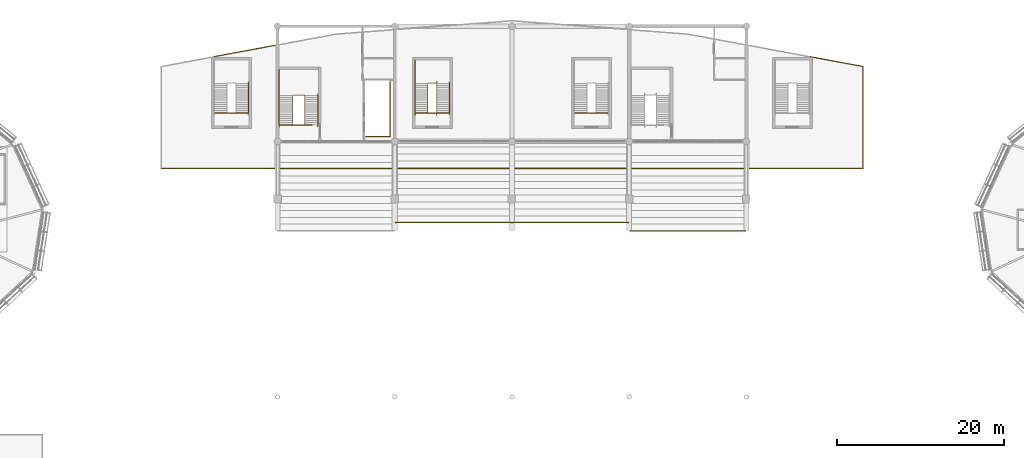
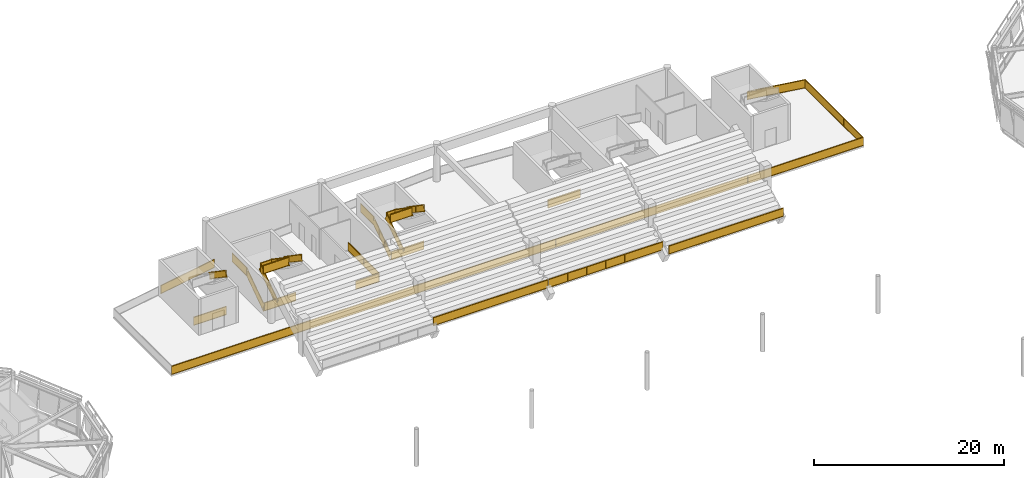
# One storey, part 91 of 94: 17 railings.
"""IFC4 building model written with IfcOpenShell, lengths in metres."""

from ifc_helpers import new_model, si_unit, direction, frame, origin, origin_2d, place, context, subcontext, project, spatial, rectangle, extrude, material, type_object, element, save


model = new_model("IFC4")

# Units and contexts
model_context = context("Model", 3, precision=1e-05, world=origin(), true_north=direction((0.0, 1.0)))
body_context = subcontext(model_context, "Body", "Model", "MODEL_VIEW")
ifc_project = project(units=[si_unit("LENGTHUNIT", "METRE"), si_unit("AREAUNIT", "SQUARE_METRE"), si_unit("VOLUMEUNIT", "CUBIC_METRE"), si_unit("PLANEANGLEUNIT", "RADIAN"), si_unit("MASSUNIT", "GRAM", prefix="KILO")], contexts=[model_context])

# Site, building, storey
site_placement = place(None, origin())
site = spatial("IfcSite", under=ifc_project, at=site_placement, CompositionType="ELEMENT")
building_placement = place(site_placement, origin())
building = spatial("IfcBuilding", under=site, at=building_placement, Name="Linyun Crest Stadium", CompositionType="ELEMENT")
storey_placement = place(building_placement, frame((0.0, 0.0, 16.199951171875)))
storey = spatial("IfcBuildingStorey", under=building, at=storey_placement, Name="L04", CompositionType="ELEMENT", Elevation=16.199951171875)

# Railings
ifc_material_1 = material(Name="Galvanized and powder-coated steel bowl safety barrier", Category="steel")
railing_type_1 = type_object("IfcRailingType", Name="GR02", PredefinedType="GUARDRAIL", material=ifc_material_1)
for number, where, name in (
    (1, (-13.919921875, 81.800048828125, 0.35009765625), "Bowl front safety guard GR02 66"),
    (2, (0.080078125, 81.800048828125, 0.35009765625), "Bowl front safety guard GR02 73"),
    (3, (14.080078125, 80.800048828125, 0.35009765625), "Bowl front safety guard GR02 80"),
):
    element("IfcRailing", number, at=place(storey_placement, frame(where)), inside=storey, type_object=railing_type_1, Name=name, PredefinedType="GUARDRAIL", context=body_context, shape_type="SweptSolid", body=[
        extrude(rectangle(XDim=0.06005859375, YDim=0.06005859375, at=origin_2d()), frame((0.0, 0.0, 1.090087890625), z_axis=(1.0, 0.0, 0.0), x_axis=(0.0, 1.0, 0.0)), (0.0, 0.0, 1.0), 13.83984375),
        extrude(rectangle(XDim=0.030029296875, YDim=1.0, at=origin_2d()), frame((0.0, 0.0, 0.56005859375), z_axis=(1.0, 0.0, 0.0), x_axis=(0.0, 1.0, 0.0)), (0.0, 0.0, 1.0), 13.83984375),
        extrude(rectangle(XDim=0.06005859375, YDim=0.06005859375, at=origin_2d()), frame((0.0, 0.0, 0.030029296875), z_axis=(1.0, 0.0, 0.0), x_axis=(0.0, 1.0, 0.0)), (0.0, 0.0, 1.0), 13.83984375),
        extrude(rectangle(XDim=0.050048828125, YDim=0.050048828125, at=origin_2d()), origin(), (0.0, 0.0, 1.0), 1.1201171875),
        extrude(rectangle(XDim=0.050048828125, YDim=0.050048828125, at=origin_2d()), frame((2.306640625, 0.0, 0.0)), (0.0, 0.0, 1.0), 1.1201171875),
        extrude(rectangle(XDim=0.050048828125, YDim=0.050048828125, at=origin_2d()), frame((4.61328125, 0.0, 0.0)), (0.0, 0.0, 1.0), 1.1201171875),
        extrude(rectangle(XDim=0.050048828125, YDim=0.050048828125, at=origin_2d()), frame((6.919921875, 0.0, 0.0)), (0.0, 0.0, 1.0), 1.1201171875),
        extrude(rectangle(XDim=0.050048828125, YDim=0.050048828125, at=origin_2d()), frame((9.2265625, 0.0, 0.0)), (0.0, 0.0, 1.0), 1.1201171875),
        extrude(rectangle(XDim=0.050048828125, YDim=0.050048828125, at=origin_2d()), frame((11.533203125, 0.0, 0.0)), (0.0, 0.0, 1.0), 1.1201171875),
        extrude(rectangle(XDim=0.050048828125, YDim=0.050048828125, at=origin_2d()), frame((13.83984375, 0.0, 0.0)), (0.0, 0.0, 1.0), 1.1201171875),
    ])
railing_1_placement = place(storey_placement, frame((-35.532958984375, 101.639892578125, 0.0)))
element("IfcRailing", 4, at=railing_1_placement, inside=storey, type_object=railing_type_1, Name="Slab edge balustrade GR02 214", PredefinedType="GUARDRAIL", context=body_context, shape_type="SweptSolid", body=[
    extrude(rectangle(XDim=0.06005859375, YDim=0.06005859375, at=origin_2d()), frame((0.0, 0.0, 1.090087890625), z_axis=(0.983198542698, 0.182539381054, 0.0), x_axis=(-0.182539381054, 0.983198542698, 0.0)), (0.0, 0.0, 1.0), 7.34130859375),
    extrude(rectangle(XDim=0.030029296875, YDim=1.0, at=origin_2d()), frame((0.0, 0.0, 0.56005859375), z_axis=(0.983198542698, 0.182539381054, 0.0), x_axis=(-0.182539381054, 0.983198542698, 0.0)), (0.0, 0.0, 1.0), 7.34130859375),
    extrude(rectangle(XDim=0.06005859375, YDim=0.06005859375, at=origin_2d()), frame((0.0, 0.0, 0.030029296875), z_axis=(0.983198542698, 0.182539381054, 0.0), x_axis=(-0.182539381054, 0.983198542698, 0.0)), (0.0, 0.0, 1.0), 7.34130859375),
    extrude(rectangle(XDim=0.050048828125, YDim=0.050048828125, at=origin_2d()), origin(), (0.0, 0.0, 1.0), 1.1201171875),
    extrude(rectangle(XDim=0.050048828125, YDim=0.050048828125, at=origin_2d()), frame((3.60888671875, 0.669921875, 0.0)), (0.0, 0.0, 1.0), 1.1201171875),
    extrude(rectangle(XDim=0.050048828125, YDim=0.050048828125, at=origin_2d()), frame((7.218017578125, 1.340087890625, 0.0)), (0.0, 0.0, 1.0), 1.1201171875),
])
railing_2_placement = place(storey_placement, frame((35.60009765625, 101.6279296875, 0.0)))
element("IfcRailing", 5, at=railing_2_placement, inside=storey, type_object=railing_type_1, Name="Slab edge balustrade GR02 221", PredefinedType="GUARDRAIL", context=body_context, shape_type="SweptSolid", body=[
    extrude(rectangle(XDim=0.06005859375, YDim=0.06005859375, at=origin_2d()), frame((0.0, 0.0, 1.090087890625), z_axis=(0.983172613902, -0.182678984214, 0.0), x_axis=(0.182678984214, 0.983172613902, 0.0)), (0.0, 0.0, 1.0), 6.4482421875),
    extrude(rectangle(XDim=0.030029296875, YDim=1.0, at=origin_2d()), frame((0.0, 0.0, 0.56005859375), z_axis=(0.983172613902, -0.182678984214, 0.0), x_axis=(0.182678984214, 0.983172613902, 0.0)), (0.0, 0.0, 1.0), 6.4482421875),
    extrude(rectangle(XDim=0.06005859375, YDim=0.06005859375, at=origin_2d()), frame((0.0, 0.0, 0.030029296875), z_axis=(0.983172613902, -0.182678984214, 0.0), x_axis=(0.182678984214, 0.983172613902, 0.0)), (0.0, 0.0, 1.0), 6.4482421875),
    extrude(rectangle(XDim=0.06005859375, YDim=0.06005859375, at=origin_2d()), frame((6.33984375, -1.177978515625, 1.090087890625), z_axis=(0.0, -1.0, 0.0), x_axis=(1.0, 0.0, 0.0)), (0.0, 0.0, 1.0), 12.18994140625),
    extrude(rectangle(XDim=0.030029296875, YDim=1.0, at=origin_2d()), frame((6.33984375, -1.177978515625, 0.56005859375), z_axis=(0.0, -1.0, 0.0), x_axis=(1.0, 0.0, 0.0)), (0.0, 0.0, 1.0), 12.18994140625),
    extrude(rectangle(XDim=0.06005859375, YDim=0.06005859375, at=origin_2d()), frame((6.33984375, -1.177978515625, 0.030029296875), z_axis=(0.0, -1.0, 0.0), x_axis=(1.0, 0.0, 0.0)), (0.0, 0.0, 1.0), 12.18994140625),
    extrude(rectangle(XDim=0.06005859375, YDim=0.06005859375, at=origin_2d()), frame((6.33984375, -13.367919921875, 1.090087890625), z_axis=(-1.0, 0.0, 0.0), x_axis=(0.0, -1.0, 0.0)), (0.0, 0.0, 1.0), 83.8798828125),
    extrude(rectangle(XDim=0.030029296875, YDim=1.0, at=origin_2d()), frame((6.33984375, -13.367919921875, 0.56005859375), z_axis=(-1.0, 0.0, 0.0), x_axis=(0.0, -1.0, 0.0)), (0.0, 0.0, 1.0), 83.8798828125),
    extrude(rectangle(XDim=0.06005859375, YDim=0.06005859375, at=origin_2d()), frame((6.33984375, -13.367919921875, 0.030029296875), z_axis=(-1.0, 0.0, 0.0), x_axis=(0.0, -1.0, 0.0)), (0.0, 0.0, 1.0), 83.8798828125),
    extrude(rectangle(XDim=0.050048828125, YDim=0.050048828125, at=origin_2d()), origin(), (0.0, 0.0, 1.0), 1.1201171875),
    extrude(rectangle(XDim=0.050048828125, YDim=0.050048828125, at=origin_2d()), frame((3.169921875, -0.5888671875, 0.0)), (0.0, 0.0, 1.0), 1.1201171875),
    extrude(rectangle(XDim=0.050048828125, YDim=0.050048828125, at=origin_2d()), frame((6.33984375, -1.177978515625, 0.0)), (0.0, 0.0, 1.0), 1.1201171875),
    extrude(rectangle(XDim=0.050048828125, YDim=0.050048828125, at=origin_2d()), frame((6.33984375, -5.2412109375, 0.0)), (0.0, 0.0, 1.0), 1.1201171875),
    extrude(rectangle(XDim=0.050048828125, YDim=0.050048828125, at=origin_2d()), frame((6.33984375, -9.3046875, 0.0)), (0.0, 0.0, 1.0), 1.1201171875),
    extrude(rectangle(XDim=0.050048828125, YDim=0.050048828125, at=origin_2d()), frame((6.33984375, -13.367919921875, 0.0)), (0.0, 0.0, 1.0), 1.1201171875),
    extrude(rectangle(XDim=0.050048828125, YDim=0.050048828125, at=origin_2d()), frame((1.679931640625, -13.367919921875, 0.0)), (0.0, 0.0, 1.0), 1.1201171875),
    extrude(rectangle(XDim=0.050048828125, YDim=0.050048828125, at=origin_2d()), frame((-2.980224609375, -13.367919921875, 0.0)), (0.0, 0.0, 1.0), 1.1201171875),
    extrude(rectangle(XDim=0.050048828125, YDim=0.050048828125, at=origin_2d()), frame((-7.64013671875, -13.367919921875, 0.0)), (0.0, 0.0, 1.0), 1.1201171875),
    extrude(rectangle(XDim=0.050048828125, YDim=0.050048828125, at=origin_2d()), frame((-12.300048828125, -13.367919921875, 0.0)), (0.0, 0.0, 1.0), 1.1201171875),
    extrude(rectangle(XDim=0.050048828125, YDim=0.050048828125, at=origin_2d()), frame((-16.960205078125, -13.367919921875, 0.0)), (0.0, 0.0, 1.0), 1.1201171875),
    extrude(rectangle(XDim=0.050048828125, YDim=0.050048828125, at=origin_2d()), frame((-21.6201171875, -13.367919921875, 0.0)), (0.0, 0.0, 1.0), 1.1201171875),
    extrude(rectangle(XDim=0.050048828125, YDim=0.050048828125, at=origin_2d()), frame((-26.280029296875, -13.367919921875, 0.0)), (0.0, 0.0, 1.0), 1.1201171875),
    extrude(rectangle(XDim=0.050048828125, YDim=0.050048828125, at=origin_2d()), frame((-30.940185546875, -13.367919921875, 0.0)), (0.0, 0.0, 1.0), 1.1201171875),
    extrude(rectangle(XDim=0.050048828125, YDim=0.050048828125, at=origin_2d()), frame((-35.60009765625, -13.367919921875, 0.0)), (0.0, 0.0, 1.0), 1.1201171875),
    extrude(rectangle(XDim=0.050048828125, YDim=0.050048828125, at=origin_2d()), frame((-40.260009765625, -13.367919921875, 0.0)), (0.0, 0.0, 1.0), 1.1201171875),
    extrude(rectangle(XDim=0.050048828125, YDim=0.050048828125, at=origin_2d()), frame((-44.920166015625, -13.367919921875, 0.0)), (0.0, 0.0, 1.0), 1.1201171875),
    extrude(rectangle(XDim=0.050048828125, YDim=0.050048828125, at=origin_2d()), frame((-49.580078125, -13.367919921875, 0.0)), (0.0, 0.0, 1.0), 1.1201171875),
    extrude(rectangle(XDim=0.050048828125, YDim=0.050048828125, at=origin_2d()), frame((-54.239990234375, -13.367919921875, 0.0)), (0.0, 0.0, 1.0), 1.1201171875),
    extrude(rectangle(XDim=0.050048828125, YDim=0.050048828125, at=origin_2d()), frame((-58.900146484375, -13.367919921875, 0.0)), (0.0, 0.0, 1.0), 1.1201171875),
    extrude(rectangle(XDim=0.050048828125, YDim=0.050048828125, at=origin_2d()), frame((-63.56005859375, -13.367919921875, 0.0)), (0.0, 0.0, 1.0), 1.1201171875),
    extrude(rectangle(XDim=0.050048828125, YDim=0.050048828125, at=origin_2d()), frame((-68.219970703125, -13.367919921875, 0.0)), (0.0, 0.0, 1.0), 1.1201171875),
    extrude(rectangle(XDim=0.050048828125, YDim=0.050048828125, at=origin_2d()), frame((-72.880126953125, -13.367919921875, 0.0)), (0.0, 0.0, 1.0), 1.1201171875),
    extrude(rectangle(XDim=0.050048828125, YDim=0.050048828125, at=origin_2d()), frame((-77.5400390625, -13.367919921875, 0.0)), (0.0, 0.0, 1.0), 1.1201171875),
])
for number, where, name in (
    (6, (7.5400390625, 94.889892578125, 0.0), "Slab edge balustrade GR02 224"),
    (7, (-11.4599609375, 94.889892578125, 0.0), "Slab edge balustrade GR02 225"),
):
    element("IfcRailing", number, at=place(storey_placement, frame(where)), inside=storey, type_object=railing_type_1, Name=name, PredefinedType="GUARDRAIL", context=body_context, shape_type="SweptSolid", body=[
        extrude(rectangle(XDim=0.06005859375, YDim=0.06005859375, at=origin_2d()), frame((0.0, 0.0, 1.090087890625), z_axis=(1.0, 0.0, 0.0), x_axis=(0.0, 1.0, 0.0)), (0.0, 0.0, 1.0), 3.919921875),
        extrude(rectangle(XDim=0.030029296875, YDim=1.0, at=origin_2d()), frame((0.0, 0.0, 0.56005859375), z_axis=(1.0, 0.0, 0.0), x_axis=(0.0, 1.0, 0.0)), (0.0, 0.0, 1.0), 3.919921875),
        extrude(rectangle(XDim=0.06005859375, YDim=0.06005859375, at=origin_2d()), frame((0.0, 0.0, 0.030029296875), z_axis=(1.0, 0.0, 0.0), x_axis=(0.0, 1.0, 0.0)), (0.0, 0.0, 1.0), 3.919921875),
        extrude(rectangle(XDim=0.050048828125, YDim=0.050048828125, at=origin_2d()), origin(), (0.0, 0.0, 1.0), 1.1201171875),
        extrude(rectangle(XDim=0.050048828125, YDim=0.050048828125, at=origin_2d()), frame((3.919921875, 0.0, 0.0)), (0.0, 0.0, 1.0), 1.1201171875),
    ])
railing_3_placement = place(storey_placement, frame((-17.419921875, 92.090087890625, 0.0)))
element("IfcRailing", 8, at=railing_3_placement, inside=storey, type_object=railing_type_1, Name="Slab edge balustrade GR02 226", PredefinedType="GUARDRAIL", context=body_context, shape_type="SweptSolid", body=[
    extrude(rectangle(XDim=0.06005859375, YDim=0.06005859375, at=origin_2d()), frame((0.0, 0.0, 1.090087890625), z_axis=(1.0, 0.0, 0.0), x_axis=(0.0, 1.0, 0.0)), (0.0, 0.0, 1.0), 2.8798828125),
    extrude(rectangle(XDim=0.030029296875, YDim=1.0, at=origin_2d()), frame((0.0, 0.0, 0.56005859375), z_axis=(1.0, 0.0, 0.0), x_axis=(0.0, 1.0, 0.0)), (0.0, 0.0, 1.0), 2.8798828125),
    extrude(rectangle(XDim=0.06005859375, YDim=0.06005859375, at=origin_2d()), frame((0.0, 0.0, 0.030029296875), z_axis=(1.0, 0.0, 0.0), x_axis=(0.0, 1.0, 0.0)), (0.0, 0.0, 1.0), 2.8798828125),
    extrude(rectangle(XDim=0.06005859375, YDim=0.06005859375, at=origin_2d()), frame((2.8798828125, 0.0, 1.090087890625), z_axis=(0.0, 1.0, 0.0), x_axis=(-1.0, 0.0, 0.0)), (0.0, 0.0, 1.0), 6.5498046875),
    extrude(rectangle(XDim=0.030029296875, YDim=1.0, at=origin_2d()), frame((2.8798828125, 0.0, 0.56005859375), z_axis=(0.0, 1.0, 0.0), x_axis=(-1.0, 0.0, 0.0)), (0.0, 0.0, 1.0), 6.5498046875),
    extrude(rectangle(XDim=0.06005859375, YDim=0.06005859375, at=origin_2d()), frame((2.8798828125, 0.0, 0.030029296875), z_axis=(0.0, 1.0, 0.0), x_axis=(-1.0, 0.0, 0.0)), (0.0, 0.0, 1.0), 6.5498046875),
    extrude(rectangle(XDim=0.050048828125, YDim=0.050048828125, at=origin_2d()), origin(), (0.0, 0.0, 1.0), 1.1201171875),
    extrude(rectangle(XDim=0.050048828125, YDim=0.050048828125, at=origin_2d()), frame((2.8798828125, 0.0, 0.0)), (0.0, 0.0, 1.0), 1.1201171875),
    extrude(rectangle(XDim=0.050048828125, YDim=0.050048828125, at=origin_2d()), frame((2.8798828125, 3.27490234375, 0.0)), (0.0, 0.0, 1.0), 1.1201171875),
    extrude(rectangle(XDim=0.050048828125, YDim=0.050048828125, at=origin_2d()), frame((2.8798828125, 6.5498046875, 0.0)), (0.0, 0.0, 1.0), 1.1201171875),
])
railing_4_placement = place(storey_placement, frame((-27.68505859375, 93.4599609375, 0.0)))
element("IfcRailing", 9, at=railing_4_placement, inside=storey, type_object=railing_type_1, Name="Slab edge balustrade GR02 227", PredefinedType="GUARDRAIL", context=body_context, shape_type="SweptSolid", body=[
    extrude(rectangle(XDim=0.06005859375, YDim=0.06005859375, at=origin_2d()), frame((0.0, 0.0, 1.090087890625), z_axis=(1.0, 0.0, 0.0), x_axis=(0.0, 1.0, 0.0)), (0.0, 0.0, 1.0), 3.78515625),
    extrude(rectangle(XDim=0.030029296875, YDim=1.0, at=origin_2d()), frame((0.0, 0.0, 0.56005859375), z_axis=(1.0, 0.0, 0.0), x_axis=(0.0, 1.0, 0.0)), (0.0, 0.0, 1.0), 3.78515625),
    extrude(rectangle(XDim=0.06005859375, YDim=0.06005859375, at=origin_2d()), frame((0.0, 0.0, 0.030029296875), z_axis=(1.0, 0.0, 0.0), x_axis=(0.0, 1.0, 0.0)), (0.0, 0.0, 1.0), 3.78515625),
    extrude(rectangle(XDim=0.050048828125, YDim=0.050048828125, at=origin_2d()), origin(), (0.0, 0.0, 1.0), 1.1201171875),
    extrude(rectangle(XDim=0.050048828125, YDim=0.050048828125, at=origin_2d()), frame((3.78515625, 0.0, 0.0)), (0.0, 0.0, 1.0), 1.1201171875),
])
railing_5_placement = place(storey_placement, frame((-35.4599609375, 94.889892578125, 0.0)))
element("IfcRailing", 10, at=railing_5_placement, inside=storey, type_object=railing_type_1, Name="Slab edge balustrade GR02 228", PredefinedType="GUARDRAIL", context=body_context, shape_type="SweptSolid", body=[
    extrude(rectangle(XDim=0.06005859375, YDim=0.06005859375, at=origin_2d()), frame((0.0, 0.0, 1.090087890625), z_axis=(1.0, 0.0, 0.0), x_axis=(0.0, 1.0, 0.0)), (0.0, 0.0, 1.0), 3.919921875),
    extrude(rectangle(XDim=0.030029296875, YDim=1.0, at=origin_2d()), frame((0.0, 0.0, 0.56005859375), z_axis=(1.0, 0.0, 0.0), x_axis=(0.0, 1.0, 0.0)), (0.0, 0.0, 1.0), 3.919921875),
    extrude(rectangle(XDim=0.06005859375, YDim=0.06005859375, at=origin_2d()), frame((0.0, 0.0, 0.030029296875), z_axis=(1.0, 0.0, 0.0), x_axis=(0.0, 1.0, 0.0)), (0.0, 0.0, 1.0), 3.919921875),
    extrude(rectangle(XDim=0.050048828125, YDim=0.050048828125, at=origin_2d()), origin(), (0.0, 0.0, 1.0), 1.1201171875),
    extrude(rectangle(XDim=0.050048828125, YDim=0.050048828125, at=origin_2d()), frame((3.919921875, 0.0, 0.0)), (0.0, 0.0, 1.0), 1.1201171875),
])
ifc_material_2 = material(Name="Painted steel stairwell safety guard", Category="steel")
railing_type_2 = type_object("IfcRailingType", Name="GR03", PredefinedType="GUARDRAIL", material=ifc_material_2)
railing_6_placement = place(storey_placement, frame((-27.794921875, 93.489990234375, 0.0)))
element("IfcRailing", 11, at=railing_6_placement, inside=storey, type_object=railing_type_2, Name="STR-07-L04 outer guard", PredefinedType="GUARDRAIL", context=body_context, shape_type="SweptSolid", body=[
    extrude(rectangle(XDim=0.06005859375, YDim=0.06005859375, at=origin_2d()), frame((0.0, 0.0, 1.090087890625), z_axis=(0.0, 0.824712752785, 0.565551832633), x_axis=(-1.0, 0.0, 0.0)), (0.0, 0.0, 1.0), 4.243896484375),
    extrude(rectangle(XDim=0.030029296875, YDim=1.0, at=origin_2d()), frame((0.0, 0.0, 0.56005859375), z_axis=(0.0, 0.824712752785, 0.565551832633), x_axis=(-1.0, 0.0, 0.0)), (0.0, 0.0, 1.0), 4.243896484375),
    extrude(rectangle(XDim=0.06005859375, YDim=0.06005859375, at=origin_2d()), frame((0.0, 0.0, 0.030029296875), z_axis=(0.0, 0.824712752785, 0.565551832633), x_axis=(-1.0, 0.0, 0.0)), (0.0, 0.0, 1.0), 4.243896484375),
    extrude(rectangle(XDim=0.06005859375, YDim=0.06005859375, at=origin_2d()), frame((0.0, 3.5, 3.490234375), z_axis=(0.0, 1.0, 0.0), x_axis=(-1.0, 0.0, 0.0)), (0.0, 0.0, 1.0), 3.080078125),
    extrude(rectangle(XDim=0.030029296875, YDim=1.0, at=origin_2d()), frame((0.0, 3.5, 2.960205078125), z_axis=(0.0, 1.0, 0.0), x_axis=(-1.0, 0.0, 0.0)), (0.0, 0.0, 1.0), 3.080078125),
    extrude(rectangle(XDim=0.06005859375, YDim=0.06005859375, at=origin_2d()), frame((0.0, 3.5, 2.43017578125), z_axis=(0.0, 1.0, 0.0), x_axis=(-1.0, 0.0, 0.0)), (0.0, 0.0, 1.0), 3.080078125),
    extrude(rectangle(XDim=0.050048828125, YDim=0.050048828125, at=origin_2d()), origin(), (0.0, 0.0, 1.0), 1.1201171875),
    extrude(rectangle(XDim=0.050048828125, YDim=0.050048828125, at=origin_2d()), frame((0.0, 1.166748046875, 0.800048828125)), (0.0, 0.0, 1.0), 1.1201171875),
    extrude(rectangle(XDim=0.050048828125, YDim=0.050048828125, at=origin_2d()), frame((0.0, 2.333251953125, 1.60009765625)), (0.0, 0.0, 1.0), 1.1201171875),
    extrude(rectangle(XDim=0.050048828125, YDim=0.050048828125, at=origin_2d()), frame((0.0, 3.5, 2.400146484375)), (0.0, 0.0, 1.0), 1.1201171875),
    extrude(rectangle(XDim=0.050048828125, YDim=0.050048828125, at=origin_2d()), frame((0.0, 5.0400390625, 2.400146484375)), (0.0, 0.0, 1.0), 1.1201171875),
    extrude(rectangle(XDim=0.050048828125, YDim=0.050048828125, at=origin_2d()), frame((0.0, 6.580078125, 2.400146484375)), (0.0, 0.0, 1.0), 1.1201171875),
])
railing_7_placement = place(storey_placement, frame((-26.155029296875, 93.469970703125, 0.0)))
element("IfcRailing", 12, at=railing_7_placement, inside=storey, type_object=railing_type_2, Name="STR-07-L04 inner well guard", PredefinedType="GUARDRAIL", context=body_context, shape_type="SweptSolid", body=[
    extrude(rectangle(XDim=0.06005859375, YDim=0.06005859375, at=origin_2d()), frame((0.0, 0.0, 1.090087890625), z_axis=(0.0, 0.826212794201, 0.563358162005), x_axis=(-1.0, 0.0, 0.0)), (0.0, 0.0, 1.0), 4.260498046875),
    extrude(rectangle(XDim=0.030029296875, YDim=1.0, at=origin_2d()), frame((0.0, 0.0, 0.56005859375), z_axis=(0.0, 0.826212794201, 0.563358162005), x_axis=(-1.0, 0.0, 0.0)), (0.0, 0.0, 1.0), 4.260498046875),
    extrude(rectangle(XDim=0.06005859375, YDim=0.06005859375, at=origin_2d()), frame((0.0, 0.0, 0.030029296875), z_axis=(0.0, 0.826212794201, 0.563358162005), x_axis=(-1.0, 0.0, 0.0)), (0.0, 0.0, 1.0), 4.260498046875),
    extrude(rectangle(XDim=0.06005859375, YDim=0.06005859375, at=origin_2d()), frame((0.0, 3.52001953125, 3.490234375), z_axis=(1.0, 0.0, 0.0), x_axis=(0.0, 1.0, 0.0)), (0.0, 0.0, 1.0), 1.385009765625),
    extrude(rectangle(XDim=0.030029296875, YDim=1.0, at=origin_2d()), frame((0.0, 3.52001953125, 2.960205078125), z_axis=(1.0, 0.0, 0.0), x_axis=(0.0, 1.0, 0.0)), (0.0, 0.0, 1.0), 1.385009765625),
    extrude(rectangle(XDim=0.06005859375, YDim=0.06005859375, at=origin_2d()), frame((0.0, 3.52001953125, 2.43017578125), z_axis=(1.0, 0.0, 0.0), x_axis=(0.0, 1.0, 0.0)), (0.0, 0.0, 1.0), 1.385009765625),
    extrude(rectangle(XDim=0.06005859375, YDim=0.06005859375, at=origin_2d()), frame((1.385009765625, 3.52001953125, 3.490234375), z_axis=(0.0, -0.826239466617, 0.563319042644), x_axis=(1.0, 0.0, 0.0)), (0.0, 0.0, 1.0), 4.26025390625),
    extrude(rectangle(XDim=0.030029296875, YDim=1.0, at=origin_2d()), frame((1.385009765625, 3.52001953125, 2.960205078125), z_axis=(0.0, -0.826239466617, 0.563319042644), x_axis=(1.0, 0.0, 0.0)), (0.0, 0.0, 1.0), 4.26025390625),
    extrude(rectangle(XDim=0.06005859375, YDim=0.06005859375, at=origin_2d()), frame((1.385009765625, 3.52001953125, 2.43017578125), z_axis=(0.0, -0.826239466617, 0.563319042644), x_axis=(1.0, 0.0, 0.0)), (0.0, 0.0, 1.0), 4.26025390625),
    extrude(rectangle(XDim=0.06005859375, YDim=0.06005859375, at=origin_2d()), frame((1.385009765625, 0.0, 5.89013671875), z_axis=(-1.0, 0.0, 0.0), x_axis=(0.0, -1.0, 0.0)), (0.0, 0.0, 1.0), 3.034912109375),
    extrude(rectangle(XDim=0.030029296875, YDim=1.0, at=origin_2d()), frame((1.385009765625, 0.0, 5.360107421875), z_axis=(-1.0, 0.0, 0.0), x_axis=(0.0, -1.0, 0.0)), (0.0, 0.0, 1.0), 3.034912109375),
    extrude(rectangle(XDim=0.06005859375, YDim=0.06005859375, at=origin_2d()), frame((1.385009765625, 0.0, 4.830078125), z_axis=(-1.0, 0.0, 0.0), x_axis=(0.0, -1.0, 0.0)), (0.0, 0.0, 1.0), 3.034912109375),
    extrude(rectangle(XDim=0.050048828125, YDim=0.050048828125, at=origin_2d()), origin(), (0.0, 0.0, 1.0), 1.1201171875),
    extrude(rectangle(XDim=0.050048828125, YDim=0.050048828125, at=origin_2d()), frame((0.0, 1.17333984375, 0.800048828125)), (0.0, 0.0, 1.0), 1.1201171875),
    extrude(rectangle(XDim=0.050048828125, YDim=0.050048828125, at=origin_2d()), frame((0.0, 2.3466796875, 1.60009765625)), (0.0, 0.0, 1.0), 1.1201171875),
    extrude(rectangle(XDim=0.050048828125, YDim=0.050048828125, at=origin_2d()), frame((0.0, 3.52001953125, 2.400146484375)), (0.0, 0.0, 1.0), 1.1201171875),
    extrude(rectangle(XDim=0.050048828125, YDim=0.050048828125, at=origin_2d()), frame((1.385009765625, 3.52001953125, 2.400146484375)), (0.0, 0.0, 1.0), 1.1201171875),
    extrude(rectangle(XDim=0.050048828125, YDim=0.050048828125, at=origin_2d()), frame((1.385009765625, 2.3466796875, 3.2001953125)), (0.0, 0.0, 1.0), 1.1201171875),
    extrude(rectangle(XDim=0.050048828125, YDim=0.050048828125, at=origin_2d()), frame((1.385009765625, 1.17333984375, 4.0)), (0.0, 0.0, 1.0), 1.1201171875),
    extrude(rectangle(XDim=0.050048828125, YDim=0.050048828125, at=origin_2d()), frame((1.385009765625, 0.0, 4.800048828125)), (0.0, 0.0, 1.0), 1.1201171875),
    extrude(rectangle(XDim=0.050048828125, YDim=0.050048828125, at=origin_2d()), frame((-0.13232421875, 0.0, 4.800048828125)), (0.0, 0.0, 1.0), 1.1201171875),
    extrude(rectangle(XDim=0.050048828125, YDim=0.050048828125, at=origin_2d()), frame((-1.64990234375, 0.0, 4.800048828125)), (0.0, 0.0, 1.0), 1.1201171875),
])
railing_8_placement = place(storey_placement, frame((-11.570068359375, 94.919921875, 0.0)))
element("IfcRailing", 13, at=railing_8_placement, inside=storey, type_object=railing_type_2, Name="STR-24-L04 outer guard", PredefinedType="GUARDRAIL", context=body_context, shape_type="SweptSolid", body=[
    extrude(rectangle(XDim=0.06005859375, YDim=0.06005859375, at=origin_2d()), frame((0.0, 0.0, 1.090087890625), z_axis=(0.0, 0.824712752785, 0.565551832633), x_axis=(-1.0, 0.0, 0.0)), (0.0, 0.0, 1.0), 4.243896484375),
    extrude(rectangle(XDim=0.030029296875, YDim=1.0, at=origin_2d()), frame((0.0, 0.0, 0.56005859375), z_axis=(0.0, 0.824712752785, 0.565551832633), x_axis=(-1.0, 0.0, 0.0)), (0.0, 0.0, 1.0), 4.243896484375),
    extrude(rectangle(XDim=0.06005859375, YDim=0.06005859375, at=origin_2d()), frame((0.0, 0.0, 0.030029296875), z_axis=(0.0, 0.824712752785, 0.565551832633), x_axis=(-1.0, 0.0, 0.0)), (0.0, 0.0, 1.0), 4.243896484375),
    extrude(rectangle(XDim=0.06005859375, YDim=0.06005859375, at=origin_2d()), frame((0.0, 3.5, 3.490234375), z_axis=(0.0, 1.0, 0.0), x_axis=(-1.0, 0.0, 0.0)), (0.0, 0.0, 1.0), 2.75),
    extrude(rectangle(XDim=0.030029296875, YDim=1.0, at=origin_2d()), frame((0.0, 3.5, 2.960205078125), z_axis=(0.0, 1.0, 0.0), x_axis=(-1.0, 0.0, 0.0)), (0.0, 0.0, 1.0), 2.75),
    extrude(rectangle(XDim=0.06005859375, YDim=0.06005859375, at=origin_2d()), frame((0.0, 3.5, 2.43017578125), z_axis=(0.0, 1.0, 0.0), x_axis=(-1.0, 0.0, 0.0)), (0.0, 0.0, 1.0), 2.75),
    extrude(rectangle(XDim=0.050048828125, YDim=0.050048828125, at=origin_2d()), origin(), (0.0, 0.0, 1.0), 1.1201171875),
    extrude(rectangle(XDim=0.050048828125, YDim=0.050048828125, at=origin_2d()), frame((0.0, 1.166748046875, 0.800048828125)), (0.0, 0.0, 1.0), 1.1201171875),
    extrude(rectangle(XDim=0.050048828125, YDim=0.050048828125, at=origin_2d()), frame((0.0, 2.333251953125, 1.60009765625)), (0.0, 0.0, 1.0), 1.1201171875),
    extrude(rectangle(XDim=0.050048828125, YDim=0.050048828125, at=origin_2d()), frame((0.0, 3.5, 2.400146484375)), (0.0, 0.0, 1.0), 1.1201171875),
    extrude(rectangle(XDim=0.050048828125, YDim=0.050048828125, at=origin_2d()), frame((0.0, 4.875, 2.400146484375)), (0.0, 0.0, 1.0), 1.1201171875),
    extrude(rectangle(XDim=0.050048828125, YDim=0.050048828125, at=origin_2d()), frame((0.0, 6.25, 2.400146484375)), (0.0, 0.0, 1.0), 1.1201171875),
])
railing_9_placement = place(storey_placement, frame((-10.030029296875, 94.89990234375, 0.0)))
element("IfcRailing", 14, at=railing_9_placement, inside=storey, type_object=railing_type_2, Name="STR-24-L04 inner well guard", PredefinedType="GUARDRAIL", context=body_context, shape_type="SweptSolid", body=[
    extrude(rectangle(XDim=0.06005859375, YDim=0.06005859375, at=origin_2d()), frame((0.0, 0.0, 1.090087890625), z_axis=(0.0, 0.826212794201, 0.563358162005), x_axis=(-1.0, 0.0, 0.0)), (0.0, 0.0, 1.0), 4.260498046875),
    extrude(rectangle(XDim=0.030029296875, YDim=1.0, at=origin_2d()), frame((0.0, 0.0, 0.56005859375), z_axis=(0.0, 0.826212794201, 0.563358162005), x_axis=(-1.0, 0.0, 0.0)), (0.0, 0.0, 1.0), 4.260498046875),
    extrude(rectangle(XDim=0.06005859375, YDim=0.06005859375, at=origin_2d()), frame((0.0, 0.0, 0.030029296875), z_axis=(0.0, 0.826212794201, 0.563358162005), x_axis=(-1.0, 0.0, 0.0)), (0.0, 0.0, 1.0), 4.260498046875),
    extrude(rectangle(XDim=0.06005859375, YDim=0.06005859375, at=origin_2d()), frame((0.0, 3.52001953125, 3.490234375), z_axis=(1.0, 0.0, 0.0), x_axis=(0.0, 1.0, 0.0)), (0.0, 0.0, 1.0), 1.06005859375),
    extrude(rectangle(XDim=0.030029296875, YDim=1.0, at=origin_2d()), frame((0.0, 3.52001953125, 2.960205078125), z_axis=(1.0, 0.0, 0.0), x_axis=(0.0, 1.0, 0.0)), (0.0, 0.0, 1.0), 1.06005859375),
    extrude(rectangle(XDim=0.06005859375, YDim=0.06005859375, at=origin_2d()), frame((0.0, 3.52001953125, 2.43017578125), z_axis=(1.0, 0.0, 0.0), x_axis=(0.0, 1.0, 0.0)), (0.0, 0.0, 1.0), 1.06005859375),
    extrude(rectangle(XDim=0.06005859375, YDim=0.06005859375, at=origin_2d()), frame((1.06005859375, 3.52001953125, 3.490234375), z_axis=(0.0, -0.826239466617, 0.563319042644), x_axis=(1.0, 0.0, 0.0)), (0.0, 0.0, 1.0), 4.26025390625),
    extrude(rectangle(XDim=0.030029296875, YDim=1.0, at=origin_2d()), frame((1.06005859375, 3.52001953125, 2.960205078125), z_axis=(0.0, -0.826239466617, 0.563319042644), x_axis=(1.0, 0.0, 0.0)), (0.0, 0.0, 1.0), 4.26025390625),
    extrude(rectangle(XDim=0.06005859375, YDim=0.06005859375, at=origin_2d()), frame((1.06005859375, 3.52001953125, 2.43017578125), z_axis=(0.0, -0.826239466617, 0.563319042644), x_axis=(1.0, 0.0, 0.0)), (0.0, 0.0, 1.0), 4.26025390625),
    extrude(rectangle(XDim=0.06005859375, YDim=0.06005859375, at=origin_2d()), frame((1.06005859375, 0.0, 5.89013671875), z_axis=(-1.0, 0.0, 0.0), x_axis=(0.0, -1.0, 0.0)), (0.0, 0.0, 1.0), 2.610107421875),
    extrude(rectangle(XDim=0.030029296875, YDim=1.0, at=origin_2d()), frame((1.06005859375, 0.0, 5.360107421875), z_axis=(-1.0, 0.0, 0.0), x_axis=(0.0, -1.0, 0.0)), (0.0, 0.0, 1.0), 2.610107421875),
    extrude(rectangle(XDim=0.06005859375, YDim=0.06005859375, at=origin_2d()), frame((1.06005859375, 0.0, 4.830078125), z_axis=(-1.0, 0.0, 0.0), x_axis=(0.0, -1.0, 0.0)), (0.0, 0.0, 1.0), 2.610107421875),
    extrude(rectangle(XDim=0.050048828125, YDim=0.050048828125, at=origin_2d()), origin(), (0.0, 0.0, 1.0), 1.1201171875),
    extrude(rectangle(XDim=0.050048828125, YDim=0.050048828125, at=origin_2d()), frame((0.0, 1.17333984375, 0.800048828125)), (0.0, 0.0, 1.0), 1.1201171875),
    extrude(rectangle(XDim=0.050048828125, YDim=0.050048828125, at=origin_2d()), frame((0.0, 2.3466796875, 1.60009765625)), (0.0, 0.0, 1.0), 1.1201171875),
    extrude(rectangle(XDim=0.050048828125, YDim=0.050048828125, at=origin_2d()), frame((0.0, 3.52001953125, 2.400146484375)), (0.0, 0.0, 1.0), 1.1201171875),
    extrude(rectangle(XDim=0.050048828125, YDim=0.050048828125, at=origin_2d()), frame((1.06005859375, 3.52001953125, 2.400146484375)), (0.0, 0.0, 1.0), 1.1201171875),
    extrude(rectangle(XDim=0.050048828125, YDim=0.050048828125, at=origin_2d()), frame((1.06005859375, 2.3466796875, 3.2001953125)), (0.0, 0.0, 1.0), 1.1201171875),
    extrude(rectangle(XDim=0.050048828125, YDim=0.050048828125, at=origin_2d()), frame((1.06005859375, 1.17333984375, 4.0)), (0.0, 0.0, 1.0), 1.1201171875),
    extrude(rectangle(XDim=0.050048828125, YDim=0.050048828125, at=origin_2d()), frame((1.06005859375, 0.0, 4.800048828125)), (0.0, 0.0, 1.0), 1.1201171875),
    extrude(rectangle(XDim=0.050048828125, YDim=0.050048828125, at=origin_2d()), frame((-0.2451171875, 0.0, 4.800048828125)), (0.0, 0.0, 1.0), 1.1201171875),
    extrude(rectangle(XDim=0.050048828125, YDim=0.050048828125, at=origin_2d()), frame((-1.550048828125, 0.0, 4.800048828125)), (0.0, 0.0, 1.0), 1.1201171875),
])
ifc_material_3 = material(Name="Brushed stainless steel tubular handrail", Category="steel")
railing_type_3 = type_object("IfcRailingType", Name="HR01", PredefinedType="HANDRAIL", material=ifc_material_3)
for number, where, name in (
    (15, (-23.179931640625, 96.989990234375, 2.400146484375), "STR-07-L04 handrail"),
    (16, (-31.47998046875, 98.419921875, 2.400146484375), "STR-23-L04 handrail"),
    (17, (-7.47998046875, 98.419921875, 2.400146484375), "STR-24-L04 handrail"),
):
    element("IfcRailing", number, at=place(storey_placement, frame(where)), inside=storey, type_object=railing_type_3, Name=name, PredefinedType="HANDRAIL", context=body_context, shape_type="SweptSolid", body=[
        extrude(rectangle(XDim=0.06005859375, YDim=0.06005859375, at=origin_2d()), frame((0.0, 0.0, 0.889892578125), z_axis=(0.0, -0.824739584531, 0.5655127034), x_axis=(1.0, 0.0, 0.0)), (0.0, 0.0, 1.0), 4.24365234375),
        extrude(rectangle(XDim=0.030029296875, YDim=0.7998046875, at=origin_2d()), frame((0.0, 0.0, 0.4599609375), z_axis=(0.0, -0.824739584531, 0.5655127034), x_axis=(1.0, 0.0, 0.0)), (0.0, 0.0, 1.0), 4.24365234375),
        extrude(rectangle(XDim=0.06005859375, YDim=0.06005859375, at=origin_2d()), frame((0.0, 0.0, 0.030029296875), z_axis=(0.0, -0.824739584531, 0.5655127034), x_axis=(1.0, 0.0, 0.0)), (0.0, 0.0, 1.0), 4.24365234375),
        extrude(rectangle(XDim=0.050048828125, YDim=0.050048828125, at=origin_2d()), origin(), (0.0, 0.0, 1.0), 0.919921875),
        extrude(rectangle(XDim=0.050048828125, YDim=0.050048828125, at=origin_2d()), frame((0.0, -1.75, 1.199951171875)), (0.0, 0.0, 1.0), 0.919921875),
        extrude(rectangle(XDim=0.050048828125, YDim=0.050048828125, at=origin_2d()), frame((0.0, -3.5, 2.39990234375)), (0.0, 0.0, 1.0), 0.919921875),
    ])

save(model, "model.ifc")
